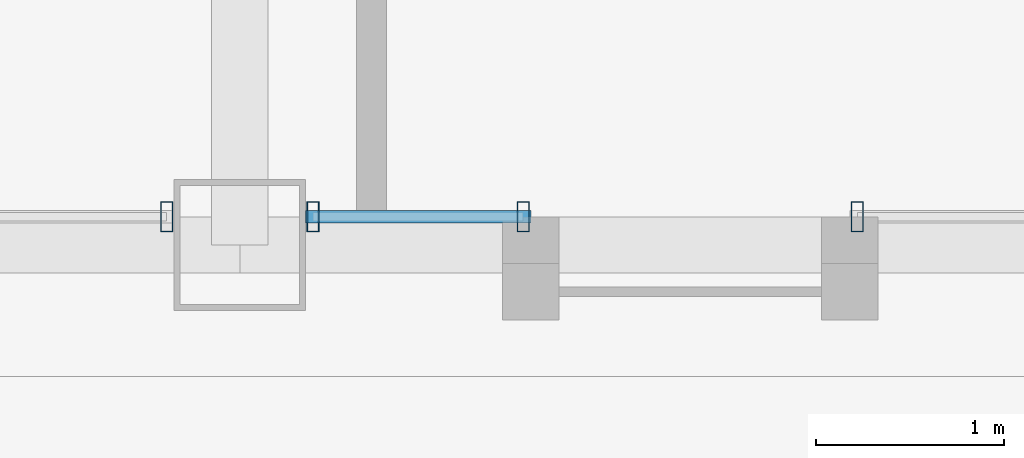
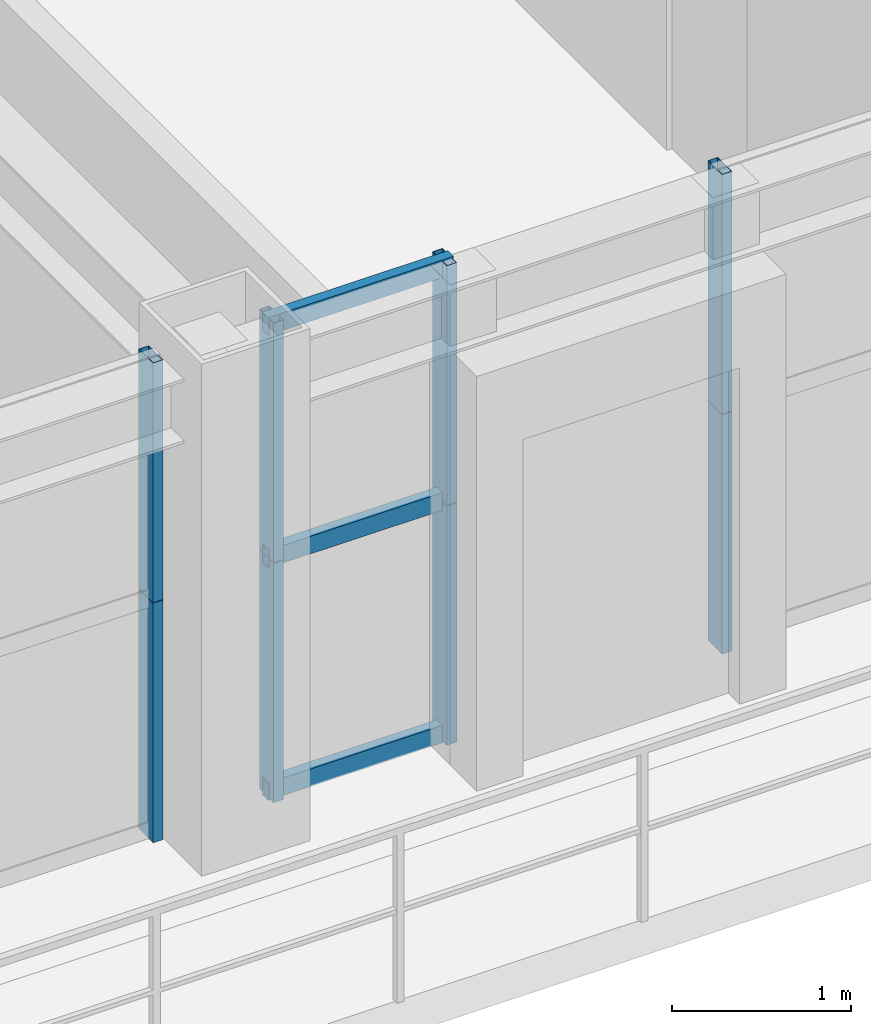
# One storey, part 10 of 35: 11 members, 3 elements without a shape of their own.
"""IFC4 building model written with IfcOpenShell, lengths in metres."""

from ifc_helpers import new_model, si_unit, direction, frame, origin, origin_2d, place, context, subcontext, project, spatial, hollow_rectangle, extrude, source, transform, mapped, material, layer, layer_set, material_profile, profile_set, type_object, element, aggregate, save


model = new_model("IFC4")

# Units and contexts
model_context = context("Model", 3, precision=1e-05, world=origin(), true_north=direction((0.0, 1.0)))
body_context = subcontext(model_context, "Body", "Model", "MODEL_VIEW")
ifc_project = project(units=[si_unit("LENGTHUNIT", "METRE"), si_unit("AREAUNIT", "SQUARE_METRE"), si_unit("VOLUMEUNIT", "CUBIC_METRE"), si_unit("PLANEANGLEUNIT", "RADIAN"), si_unit("MASSUNIT", "GRAM", prefix="KILO"), si_unit("THERMODYNAMICTEMPERATUREUNIT", "KELVIN"), si_unit("POWERUNIT", "WATT")], contexts=[model_context])

# Site, building, storey
site_placement = place(None, origin())
site = spatial("IfcSite", under=ifc_project, at=site_placement, CompositionType="ELEMENT")
building_placement = place(site_placement, origin())
building = spatial("IfcBuilding", under=site, at=building_placement, Name="Yuzanri Waterfront Tower", CompositionType="ELEMENT")
storey_placement = place(building_placement, frame((0.0, 0.0, 227.60009765625)))
storey = spatial("IfcBuildingStorey", under=building, at=storey_placement, Name="L60", CompositionType="ELEMENT", Elevation=227.60009765625)

# Curtain wall, members
ifc_material_1 = material(Name="Anodized Architectural Bronze", Category="metal")
ifc_layer = layer(ifc_material_1, 0.159912109375)
ifc_layer_set = layer_set([ifc_layer], Name="Anodized Architectural Bronze")
curtain_wall_type = type_object("IfcCurtainWallType", Name="Anodized Bronze Mid-Rise Residential Acoustic Unitized Curtain Wall 7200", PredefinedType="NOTDEFINED", material=ifc_layer_set)
curtain_wall_1_placement = place(storey_placement, origin())
curtain_wall_1 = element("IfcCurtainWall", 1, at=curtain_wall_1_placement, inside=storey, type_object=curtain_wall_type, Name="L60 Curtain Wall CW-L60-SL", PredefinedType="NOTDEFINED")
ifc_material_2 = material(Name="Anodized Architectural Bronze", Category="metal")
ifc_material_profile_1 = material_profile(ifc_material_2, hollow_rectangle(XDim=0.06494140625, YDim=0.159912109375, WallThickness=0.00341796875, at=origin_2d()), Name="CWM 65x160")
ifc_profile_set_1 = profile_set([ifc_material_profile_1], Name="Anodized Architectural Bronze")
member_type_1 = type_object("IfcMemberType", Name="Anodized Bronze Upper-Zone Curtain-Wall Mullion 65x160", PredefinedType="MULLION", material=ifc_profile_set_1)
shared_shape_1 = source(origin(), body_context, "Body", "SweptSolid", [
    extrude(hollow_rectangle(XDim=0.06494140625, YDim=0.159912109375, WallThickness=0.00341796875, at=origin_2d()), origin(), (0.0, 0.0, 1.0), 1.637939453125),
])
member_1_placement = place(storey_placement, frame((36.610107421875, 5.35009765625, 0.0), z_axis=(0.0, 0.0, 1.0), x_axis=(1.0, 0.0, 0.0)))
member_1 = element("IfcMember", 2, at=member_1_placement, type_object=member_type_1, Name="CW-L60-SL Lower Mullion 02", PredefinedType="MULLION", context=body_context, shape_type="MappedRepresentation", body=[
    mapped(shared_shape_1, transform((0.0, 0.0, 0.0), scale=1.0)),
])
member_2_placement = place(storey_placement, frame((36.610107421875, 5.35009765625, 1.641845703125), z_axis=(0.0, 0.0, 1.0), x_axis=(1.0, 0.0, 0.0)))
member_2 = element("IfcMember", 3, at=member_2_placement, type_object=member_type_1, Name="CW-L60-SL Upper Mullion 02", PredefinedType="MULLION", context=body_context, shape_type="MappedRepresentation", body=[
    mapped(shared_shape_1, transform((0.0, 0.0, 0.0), scale=1.0)),
])
aggregate(curtain_wall_1, [member_1, member_2])

curtain_wall_2_placement = place(storey_placement, origin())
curtain_wall_2 = element("IfcCurtainWall", 4, at=curtain_wall_2_placement, inside=storey, type_object=curtain_wall_type, Name="L60 Curtain Wall CW-L60-SR1", PredefinedType="NOTDEFINED")
member_3_placement = place(storey_placement, frame((37.389892578125, 5.35009765625, 0.0), z_axis=(0.0, 0.0, 1.0), x_axis=(1.0, 0.0, 0.0)))
member_3 = element("IfcMember", 5, at=member_3_placement, type_object=member_type_1, Name="CW-L60-SR1 Lower Mullion 00", PredefinedType="MULLION", context=body_context, shape_type="MappedRepresentation", body=[
    mapped(shared_shape_1, transform((0.0, 0.0, 0.0), scale=1.0)),
])
member_4_placement = place(storey_placement, frame((37.389892578125, 5.35009765625, 1.641845703125), z_axis=(0.0, 0.0, 1.0), x_axis=(1.0, 0.0, 0.0)))
member_4 = element("IfcMember", 6, at=member_4_placement, type_object=member_type_1, Name="CW-L60-SR1 Upper Mullion 00", PredefinedType="MULLION", context=body_context, shape_type="MappedRepresentation", body=[
    mapped(shared_shape_1, transform((0.0, 0.0, 0.0), scale=1.0)),
])
member_5_placement = place(storey_placement, frame((38.510009765625, 5.35009765625, 0.0), z_axis=(0.0, 0.0, 1.0), x_axis=(1.0, 0.0, 0.0)))
member_5 = element("IfcMember", 7, at=member_5_placement, type_object=member_type_1, Name="CW-L60-SR1 Lower Mullion 01", PredefinedType="MULLION", context=body_context, shape_type="MappedRepresentation", body=[
    mapped(shared_shape_1, transform((0.0, 0.0, 0.0), scale=1.0)),
])
member_6_placement = place(storey_placement, frame((38.510009765625, 5.35009765625, 1.641845703125), z_axis=(0.0, 0.0, 1.0), x_axis=(1.0, 0.0, 0.0)))
member_6 = element("IfcMember", 8, at=member_6_placement, type_object=member_type_1, Name="CW-L60-SR1 Upper Mullion 01", PredefinedType="MULLION", context=body_context, shape_type="MappedRepresentation", body=[
    mapped(shared_shape_1, transform((0.0, 0.0, 0.0), scale=1.0)),
])

curtain_wall_3_placement = place(storey_placement, origin())
curtain_wall_3 = element("IfcCurtainWall", 9, at=curtain_wall_3_placement, inside=storey, type_object=curtain_wall_type, Name="L60 Curtain Wall CW-L60-SR2", PredefinedType="NOTDEFINED")
member_7_placement = place(storey_placement, frame((40.2900390625, 5.35009765625, 0.0), z_axis=(0.0, 0.0, 1.0), x_axis=(1.0, 0.0, 0.0)))
member_7 = element("IfcMember", 10, at=member_7_placement, type_object=member_type_1, Name="CW-L60-SR2 Lower Mullion 00", PredefinedType="MULLION", context=body_context, shape_type="MappedRepresentation", body=[
    mapped(shared_shape_1, transform((0.0, 0.0, 0.0), scale=1.0)),
])
member_8_placement = place(storey_placement, frame((40.2900390625, 5.35009765625, 1.641845703125), z_axis=(0.0, 0.0, 1.0), x_axis=(1.0, 0.0, 0.0)))
member_8 = element("IfcMember", 11, at=member_8_placement, type_object=member_type_1, Name="CW-L60-SR2 Upper Mullion 00", PredefinedType="MULLION", context=body_context, shape_type="MappedRepresentation", body=[
    mapped(shared_shape_1, transform((0.0, 0.0, 0.0), scale=1.0)),
])
aggregate(curtain_wall_3, [member_7, member_8])

# Member
ifc_material_3 = material(Name="Anodized Architectural Bronze", Category="metal")
ifc_material_profile_2 = material_profile(ifc_material_3, hollow_rectangle(XDim=0.06494140625, YDim=0.1201171875, WallThickness=0.00341796875, at=origin_2d()), Name="CWT 65x120")
ifc_profile_set_2 = profile_set([ifc_material_profile_2], Name="Anodized Architectural Bronze")
member_type_2 = type_object("IfcMemberType", Name="Anodized Bronze Secondary Curtain-Wall Transom 65x120", PredefinedType="USERDEFINED", material=ifc_profile_set_2)
shared_shape_2 = source(origin(), body_context, "Body", "SweptSolid", [
    extrude(hollow_rectangle(XDim=0.06494140625, YDim=0.1201171875, WallThickness=0.00341796875, at=origin_2d()), origin(), (0.0, 0.0, 1.0), 1.199951171875),
])
member_9_placement = place(storey_placement, frame((37.35009765625, 5.35009765625, 0.0498046875), z_axis=(1.0, 0.0, 0.0), x_axis=(0.0, 1.0, 0.0)))
member_9 = element("IfcMember", 12, at=member_9_placement, type_object=member_type_2, Name="CW-L60-SR1 Transom 1", ObjectType="TRANSOM", PredefinedType="USERDEFINED", context=body_context, shape_type="MappedRepresentation", body=[
    mapped(shared_shape_2, transform((0.0, 0.0, 0.0), scale=1.0)),
])

member_10_placement = place(storey_placement, frame((37.35009765625, 5.35009765625, 1.639892578125), z_axis=(1.0, 0.0, 0.0), x_axis=(0.0, 1.0, 0.0)))
member_10 = element("IfcMember", 13, at=member_10_placement, type_object=member_type_2, Name="CW-L60-SR1 Transom 2", ObjectType="TRANSOM", PredefinedType="USERDEFINED", context=body_context, shape_type="MappedRepresentation", body=[
    mapped(shared_shape_2, transform((0.0, 0.0, 0.0), scale=1.0)),
])

member_11_placement = place(storey_placement, frame((37.35009765625, 5.35009765625, 3.22998046875), z_axis=(1.0, 0.0, 0.0), x_axis=(0.0, 1.0, 0.0)))
member_11 = element("IfcMember", 14, at=member_11_placement, type_object=member_type_2, Name="CW-L60-SR1 Transom 3", ObjectType="TRANSOM", PredefinedType="USERDEFINED", context=body_context, shape_type="MappedRepresentation", body=[
    mapped(shared_shape_2, transform((0.0, 0.0, 0.0), scale=1.0)),
])

aggregate(curtain_wall_2, [member_3, member_4, member_5, member_6, member_9, member_10, member_11])

save(model, "model.ifc")
